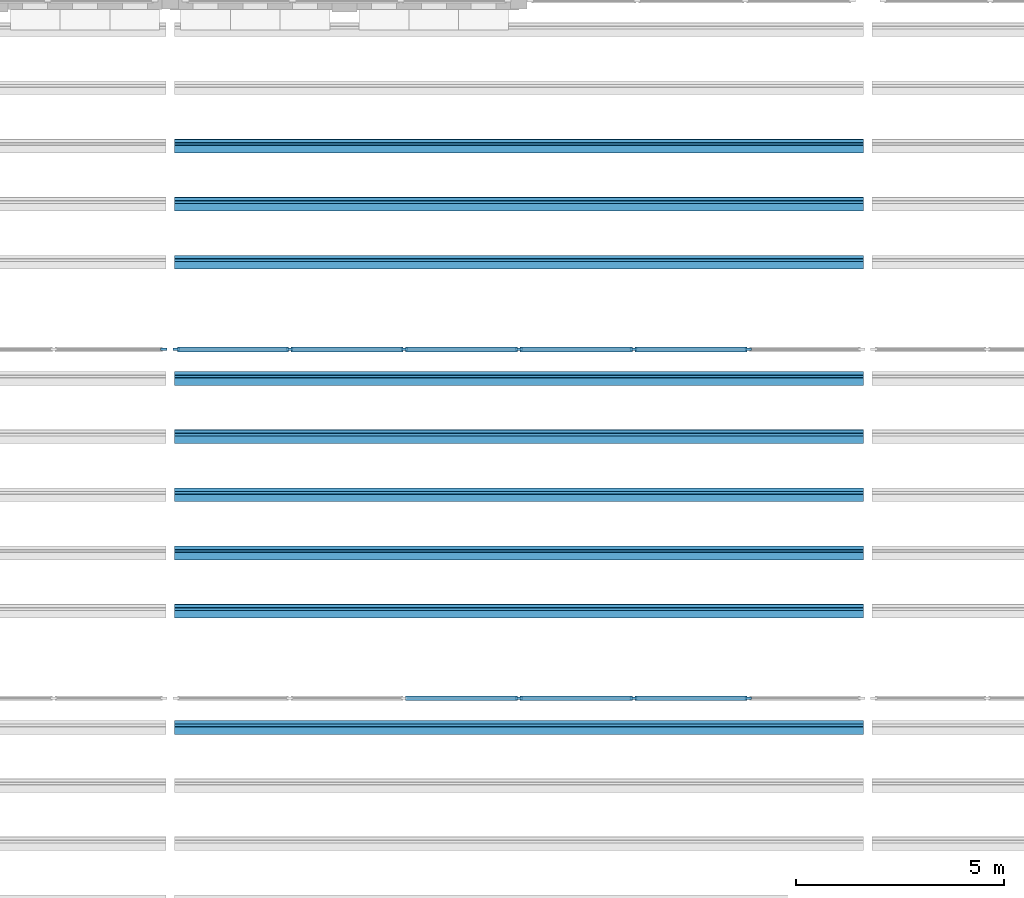
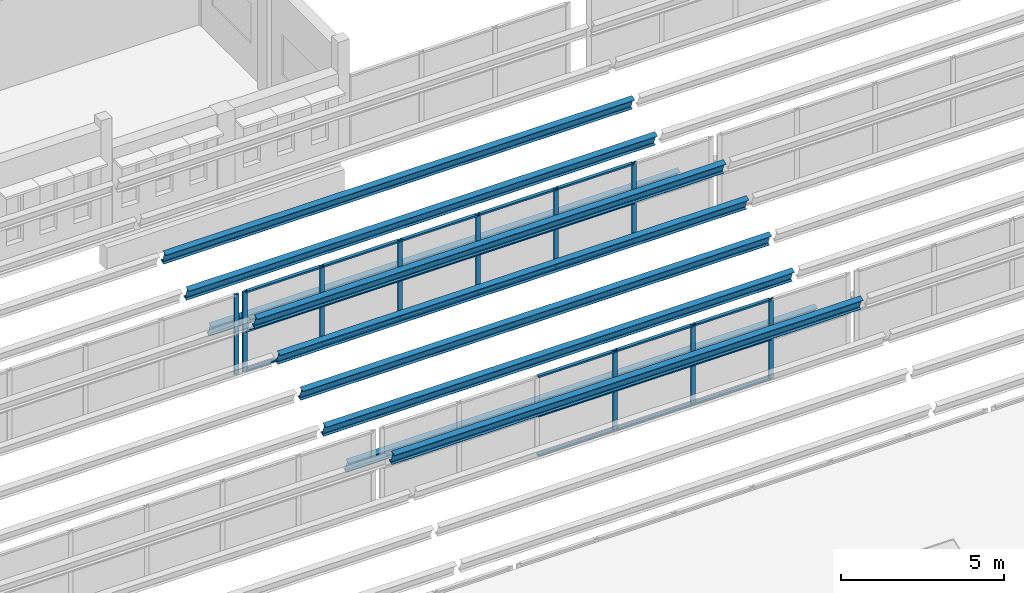
# One storey, part 11 of 116: 43 members, 3 elements without a shape of their own.
"""IFC4 building model written with IfcOpenShell, lengths in metres."""

from ifc_helpers import new_model, si_unit, direction, frame, origin, origin_2d, place, context, subcontext, project, spatial, rectangle, i_section, extrude, material, material_profile, profile_set, type_object, element, aggregate, save


model = new_model("IFC4")

# Units and contexts
model_context = context("Model", 3, precision=1e-05, world=origin(), true_north=direction((0.0, 1.0)))
body_context = subcontext(model_context, "Body", "Model", "MODEL_VIEW")
ifc_project = project(units=[si_unit("LENGTHUNIT", "METRE"), si_unit("AREAUNIT", "SQUARE_METRE"), si_unit("VOLUMEUNIT", "CUBIC_METRE"), si_unit("PLANEANGLEUNIT", "RADIAN"), si_unit("MASSUNIT", "GRAM", prefix="KILO")], contexts=[model_context])

# Site, building, storey
site_placement = place(None, origin())
site = spatial("IfcSite", under=ifc_project, at=site_placement, CompositionType="ELEMENT")
building_placement = place(site_placement, origin())
building = spatial("IfcBuilding", under=site, at=building_placement, Name="Fescue Hill Polytechnic", CompositionType="ELEMENT")
storey_placement = place(building_placement, frame((0.0, 0.0, 13.5)))
storey = spatial("IfcBuildingStorey", under=building, at=storey_placement, Name="L03", CompositionType="ELEMENT", Elevation=13.5)

# Curtain wall, members
ifc_material_1 = material(Name="Aluminium and glass", Category="aluminium")
curtain_wall_type = type_object("IfcCurtainWallType", Name="Sawtooth north glazing curtain wall", PredefinedType="NOTDEFINED", material=ifc_material_1)
curtain_wall_1_placement = place(storey_placement, origin())
curtain_wall_1 = element("IfcCurtainWall", 1, at=curtain_wall_1_placement, inside=storey, type_object=curtain_wall_type, Name="Sawtooth 2 north glazing bay 2", PredefinedType="NOTDEFINED")
ifc_material_2 = material(Name="Aluminium", Category="aluminium")
ifc_material_profile_1 = material_profile(ifc_material_2, rectangle(XDim=0.06005859375, YDim=0.159912109375, at=origin_2d()), Name="Curtain wall mullion 60x160")
ifc_profile_set_1 = profile_set([ifc_material_profile_1], Name="Aluminium")
member_type_1 = type_object("IfcMemberType", Name="Curtain wall mullion 60x160", PredefinedType="MULLION", material=ifc_profile_set_1)
member_1_placement = place(storey_placement, frame((25.199951171875, 33.60009765625, 0.0), z_axis=(0.0, 0.0, 1.0), x_axis=(0.0, 1.0, 0.0)))
member_1 = element("IfcMember", 2, at=member_1_placement, type_object=member_type_1, Name="CW9 mullion 4", PredefinedType="MULLION", context=body_context, shape_type="SweptSolid", body=[
    extrude(rectangle(XDim=0.06005859375, YDim=0.159912109375, at=origin_2d()), origin(), (0.0, 0.0, 1.0), 3.0),
])
member_2_placement = place(storey_placement, frame((27.9599609375, 33.60009765625, 0.0), z_axis=(0.0, 0.0, 1.0), x_axis=(0.0, 1.0, 0.0)))
member_2 = element("IfcMember", 3, at=member_2_placement, type_object=member_type_1, Name="CW9 mullion 5", PredefinedType="MULLION", context=body_context, shape_type="SweptSolid", body=[
    extrude(rectangle(XDim=0.06005859375, YDim=0.159912109375, at=origin_2d()), origin(), (0.0, 0.0, 1.0), 3.0),
])
member_3_placement = place(storey_placement, frame((30.719970703125, 33.60009765625, 0.0), z_axis=(0.0, 0.0, 1.0), x_axis=(0.0, 1.0, 0.0)))
member_3 = element("IfcMember", 4, at=member_3_placement, type_object=member_type_1, Name="CW9 mullion 6", PredefinedType="MULLION", context=body_context, shape_type="SweptSolid", body=[
    extrude(rectangle(XDim=0.06005859375, YDim=0.159912109375, at=origin_2d()), origin(), (0.0, 0.0, 1.0), 3.0),
])

# Curtain wall, member
curtain_wall_2_placement = place(storey_placement, origin())
curtain_wall_2 = element("IfcCurtainWall", 5, at=curtain_wall_2_placement, inside=storey, type_object=curtain_wall_type, Name="Sawtooth 3 north glazing bay 1", PredefinedType="NOTDEFINED")
member_4_placement = place(storey_placement, frame((16.64990234375, 42.0, 0.0), z_axis=(0.0, 0.0, 1.0), x_axis=(0.0, 1.0, 0.0)))
member_4 = element("IfcMember", 6, at=member_4_placement, type_object=member_type_1, Name="CW15 mullion 7", PredefinedType="MULLION", context=body_context, shape_type="SweptSolid", body=[
    extrude(rectangle(XDim=0.06005859375, YDim=0.159912109375, at=origin_2d()), origin(), (0.0, 0.0, 1.0), 3.0),
])
aggregate(curtain_wall_2, [member_4])

# Curtain wall, members
curtain_wall_3_placement = place(storey_placement, origin())
curtain_wall_3 = element("IfcCurtainWall", 7, at=curtain_wall_3_placement, inside=storey, type_object=curtain_wall_type, Name="Sawtooth 3 north glazing bay 2", PredefinedType="NOTDEFINED")
member_5_placement = place(storey_placement, frame((16.949951171875, 42.0, 0.0), z_axis=(0.0, 0.0, 1.0), x_axis=(0.0, 1.0, 0.0)))
member_5 = element("IfcMember", 8, at=member_5_placement, type_object=member_type_1, Name="CW16 mullion 1", PredefinedType="MULLION", context=body_context, shape_type="SweptSolid", body=[
    extrude(rectangle(XDim=0.06005859375, YDim=0.159912109375, at=origin_2d()), origin(), (0.0, 0.0, 1.0), 3.0),
])
member_6_placement = place(storey_placement, frame((19.679931640625, 42.0, 0.0), z_axis=(0.0, 0.0, 1.0), x_axis=(0.0, 1.0, 0.0)))
member_6 = element("IfcMember", 9, at=member_6_placement, type_object=member_type_1, Name="CW16 mullion 2", PredefinedType="MULLION", context=body_context, shape_type="SweptSolid", body=[
    extrude(rectangle(XDim=0.06005859375, YDim=0.159912109375, at=origin_2d()), origin(), (0.0, 0.0, 1.0), 3.0),
])
member_7_placement = place(storey_placement, frame((22.43994140625, 42.0, 0.0), z_axis=(0.0, 0.0, 1.0), x_axis=(0.0, 1.0, 0.0)))
member_7 = element("IfcMember", 10, at=member_7_placement, type_object=member_type_1, Name="CW16 mullion 3", PredefinedType="MULLION", context=body_context, shape_type="SweptSolid", body=[
    extrude(rectangle(XDim=0.06005859375, YDim=0.159912109375, at=origin_2d()), origin(), (0.0, 0.0, 1.0), 3.0),
])
member_8_placement = place(storey_placement, frame((25.199951171875, 42.0, 0.0), z_axis=(0.0, 0.0, 1.0), x_axis=(0.0, 1.0, 0.0)))
member_8 = element("IfcMember", 11, at=member_8_placement, type_object=member_type_1, Name="CW16 mullion 4", PredefinedType="MULLION", context=body_context, shape_type="SweptSolid", body=[
    extrude(rectangle(XDim=0.06005859375, YDim=0.159912109375, at=origin_2d()), origin(), (0.0, 0.0, 1.0), 3.0),
])
member_9_placement = place(storey_placement, frame((27.9599609375, 42.0, 0.0), z_axis=(0.0, 0.0, 1.0), x_axis=(0.0, 1.0, 0.0)))
member_9 = element("IfcMember", 12, at=member_9_placement, type_object=member_type_1, Name="CW16 mullion 5", PredefinedType="MULLION", context=body_context, shape_type="SweptSolid", body=[
    extrude(rectangle(XDim=0.06005859375, YDim=0.159912109375, at=origin_2d()), origin(), (0.0, 0.0, 1.0), 3.0),
])
member_10_placement = place(storey_placement, frame((30.719970703125, 42.0, 0.0), z_axis=(0.0, 0.0, 1.0), x_axis=(0.0, 1.0, 0.0)))
member_10 = element("IfcMember", 13, at=member_10_placement, type_object=member_type_1, Name="CW16 mullion 6", PredefinedType="MULLION", context=body_context, shape_type="SweptSolid", body=[
    extrude(rectangle(XDim=0.06005859375, YDim=0.159912109375, at=origin_2d()), origin(), (0.0, 0.0, 1.0), 3.0),
])

# Member
ifc_material_profile_2 = material_profile(ifc_material_2, rectangle(XDim=0.1201171875, YDim=0.06005859375, at=origin_2d()), Name="Curtain wall transom 60x120")
ifc_profile_set_2 = profile_set([ifc_material_profile_2], Name="Aluminium")
member_type_2 = type_object("IfcMemberType", Name="Curtain wall transom 60x120", PredefinedType="USERDEFINED", material=ifc_profile_set_2)
member_11_placement = place(storey_placement, frame((22.469970703125, 33.60009765625, 0.030029296875), z_axis=(1.0, 0.0, 0.0), x_axis=(0.0, 1.0, 0.0)))
member_11 = element("IfcMember", 14, at=member_11_placement, type_object=member_type_2, Name="CW9 transom 3.1", ObjectType="TRANSOM", PredefinedType="USERDEFINED", context=body_context, shape_type="SweptSolid", body=[
    extrude(rectangle(XDim=0.1201171875, YDim=0.06005859375, at=origin_2d()), origin(), (0.0, 0.0, 1.0), 2.699951171875),
])

member_12_placement = place(storey_placement, frame((22.469970703125, 33.60009765625, 1.5), z_axis=(1.0, 0.0, 0.0), x_axis=(0.0, 1.0, 0.0)))
member_12 = element("IfcMember", 15, at=member_12_placement, type_object=member_type_2, Name="CW9 transom 3.2", ObjectType="TRANSOM", PredefinedType="USERDEFINED", context=body_context, shape_type="SweptSolid", body=[
    extrude(rectangle(XDim=0.1201171875, YDim=0.06005859375, at=origin_2d()), origin(), (0.0, 0.0, 1.0), 2.699951171875),
])

member_13_placement = place(storey_placement, frame((22.469970703125, 33.60009765625, 2.969970703125), z_axis=(1.0, 0.0, 0.0), x_axis=(0.0, 1.0, 0.0)))
member_13 = element("IfcMember", 16, at=member_13_placement, type_object=member_type_2, Name="CW9 transom 3.3", ObjectType="TRANSOM", PredefinedType="USERDEFINED", context=body_context, shape_type="SweptSolid", body=[
    extrude(rectangle(XDim=0.1201171875, YDim=0.06005859375, at=origin_2d()), origin(), (0.0, 0.0, 1.0), 2.699951171875),
])

member_14_placement = place(storey_placement, frame((25.22998046875, 33.60009765625, 0.030029296875), z_axis=(1.0, 0.0, 0.0), x_axis=(0.0, 1.0, 0.0)))
member_14 = element("IfcMember", 17, at=member_14_placement, type_object=member_type_2, Name="CW9 transom 4.1", ObjectType="TRANSOM", PredefinedType="USERDEFINED", context=body_context, shape_type="SweptSolid", body=[
    extrude(rectangle(XDim=0.1201171875, YDim=0.06005859375, at=origin_2d()), origin(), (0.0, 0.0, 1.0), 2.699951171875),
])

member_15_placement = place(storey_placement, frame((25.22998046875, 33.60009765625, 1.5), z_axis=(1.0, 0.0, 0.0), x_axis=(0.0, 1.0, 0.0)))
member_15 = element("IfcMember", 18, at=member_15_placement, type_object=member_type_2, Name="CW9 transom 4.2", ObjectType="TRANSOM", PredefinedType="USERDEFINED", context=body_context, shape_type="SweptSolid", body=[
    extrude(rectangle(XDim=0.1201171875, YDim=0.06005859375, at=origin_2d()), origin(), (0.0, 0.0, 1.0), 2.699951171875),
])

member_16_placement = place(storey_placement, frame((25.22998046875, 33.60009765625, 2.969970703125), z_axis=(1.0, 0.0, 0.0), x_axis=(0.0, 1.0, 0.0)))
member_16 = element("IfcMember", 19, at=member_16_placement, type_object=member_type_2, Name="CW9 transom 4.3", ObjectType="TRANSOM", PredefinedType="USERDEFINED", context=body_context, shape_type="SweptSolid", body=[
    extrude(rectangle(XDim=0.1201171875, YDim=0.06005859375, at=origin_2d()), origin(), (0.0, 0.0, 1.0), 2.699951171875),
])

member_17_placement = place(storey_placement, frame((27.989990234375, 33.60009765625, 0.030029296875), z_axis=(1.0, 0.0, 0.0), x_axis=(0.0, 1.0, 0.0)))
member_17 = element("IfcMember", 20, at=member_17_placement, type_object=member_type_2, Name="CW9 transom 5.1", ObjectType="TRANSOM", PredefinedType="USERDEFINED", context=body_context, shape_type="SweptSolid", body=[
    extrude(rectangle(XDim=0.1201171875, YDim=0.06005859375, at=origin_2d()), origin(), (0.0, 0.0, 1.0), 2.699951171875),
])

member_18_placement = place(storey_placement, frame((27.989990234375, 33.60009765625, 1.5), z_axis=(1.0, 0.0, 0.0), x_axis=(0.0, 1.0, 0.0)))
member_18 = element("IfcMember", 21, at=member_18_placement, type_object=member_type_2, Name="CW9 transom 5.2", ObjectType="TRANSOM", PredefinedType="USERDEFINED", context=body_context, shape_type="SweptSolid", body=[
    extrude(rectangle(XDim=0.1201171875, YDim=0.06005859375, at=origin_2d()), origin(), (0.0, 0.0, 1.0), 2.699951171875),
])

member_19_placement = place(storey_placement, frame((27.989990234375, 33.60009765625, 2.969970703125), z_axis=(1.0, 0.0, 0.0), x_axis=(0.0, 1.0, 0.0)))
member_19 = element("IfcMember", 22, at=member_19_placement, type_object=member_type_2, Name="CW9 transom 5.3", ObjectType="TRANSOM", PredefinedType="USERDEFINED", context=body_context, shape_type="SweptSolid", body=[
    extrude(rectangle(XDim=0.1201171875, YDim=0.06005859375, at=origin_2d()), origin(), (0.0, 0.0, 1.0), 2.699951171875),
])

aggregate(curtain_wall_1, [member_1, member_2, member_3, member_11, member_12, member_13, member_14, member_15, member_16, member_17, member_18, member_19])

member_20_placement = place(storey_placement, frame((16.97998046875, 42.0, 0.030029296875), z_axis=(1.0, 0.0, 0.0), x_axis=(0.0, 1.0, 0.0)))
member_20 = element("IfcMember", 23, at=member_20_placement, type_object=member_type_2, Name="CW16 transom 1.1", ObjectType="TRANSOM", PredefinedType="USERDEFINED", context=body_context, shape_type="SweptSolid", body=[
    extrude(rectangle(XDim=0.1201171875, YDim=0.06005859375, at=origin_2d()), origin(), (0.0, 0.0, 1.0), 2.669921875),
])

member_21_placement = place(storey_placement, frame((16.97998046875, 42.0, 1.5), z_axis=(1.0, 0.0, 0.0), x_axis=(0.0, 1.0, 0.0)))
member_21 = element("IfcMember", 24, at=member_21_placement, type_object=member_type_2, Name="CW16 transom 1.2", ObjectType="TRANSOM", PredefinedType="USERDEFINED", context=body_context, shape_type="SweptSolid", body=[
    extrude(rectangle(XDim=0.1201171875, YDim=0.06005859375, at=origin_2d()), origin(), (0.0, 0.0, 1.0), 2.669921875),
])

member_22_placement = place(storey_placement, frame((16.97998046875, 42.0, 2.969970703125), z_axis=(1.0, 0.0, 0.0), x_axis=(0.0, 1.0, 0.0)))
member_22 = element("IfcMember", 25, at=member_22_placement, type_object=member_type_2, Name="CW16 transom 1.3", ObjectType="TRANSOM", PredefinedType="USERDEFINED", context=body_context, shape_type="SweptSolid", body=[
    extrude(rectangle(XDim=0.1201171875, YDim=0.06005859375, at=origin_2d()), origin(), (0.0, 0.0, 1.0), 2.669921875),
])

member_23_placement = place(storey_placement, frame((19.7099609375, 42.0, 0.030029296875), z_axis=(1.0, 0.0, 0.0), x_axis=(0.0, 1.0, 0.0)))
member_23 = element("IfcMember", 26, at=member_23_placement, type_object=member_type_2, Name="CW16 transom 2.1", ObjectType="TRANSOM", PredefinedType="USERDEFINED", context=body_context, shape_type="SweptSolid", body=[
    extrude(rectangle(XDim=0.1201171875, YDim=0.06005859375, at=origin_2d()), origin(), (0.0, 0.0, 1.0), 2.699951171875),
])

member_24_placement = place(storey_placement, frame((19.7099609375, 42.0, 1.5), z_axis=(1.0, 0.0, 0.0), x_axis=(0.0, 1.0, 0.0)))
member_24 = element("IfcMember", 27, at=member_24_placement, type_object=member_type_2, Name="CW16 transom 2.2", ObjectType="TRANSOM", PredefinedType="USERDEFINED", context=body_context, shape_type="SweptSolid", body=[
    extrude(rectangle(XDim=0.1201171875, YDim=0.06005859375, at=origin_2d()), origin(), (0.0, 0.0, 1.0), 2.699951171875),
])

member_25_placement = place(storey_placement, frame((19.7099609375, 42.0, 2.969970703125), z_axis=(1.0, 0.0, 0.0), x_axis=(0.0, 1.0, 0.0)))
member_25 = element("IfcMember", 28, at=member_25_placement, type_object=member_type_2, Name="CW16 transom 2.3", ObjectType="TRANSOM", PredefinedType="USERDEFINED", context=body_context, shape_type="SweptSolid", body=[
    extrude(rectangle(XDim=0.1201171875, YDim=0.06005859375, at=origin_2d()), origin(), (0.0, 0.0, 1.0), 2.699951171875),
])

member_26_placement = place(storey_placement, frame((22.469970703125, 42.0, 0.030029296875), z_axis=(1.0, 0.0, 0.0), x_axis=(0.0, 1.0, 0.0)))
member_26 = element("IfcMember", 29, at=member_26_placement, type_object=member_type_2, Name="CW16 transom 3.1", ObjectType="TRANSOM", PredefinedType="USERDEFINED", context=body_context, shape_type="SweptSolid", body=[
    extrude(rectangle(XDim=0.1201171875, YDim=0.06005859375, at=origin_2d()), origin(), (0.0, 0.0, 1.0), 2.699951171875),
])

member_27_placement = place(storey_placement, frame((22.469970703125, 42.0, 1.5), z_axis=(1.0, 0.0, 0.0), x_axis=(0.0, 1.0, 0.0)))
member_27 = element("IfcMember", 30, at=member_27_placement, type_object=member_type_2, Name="CW16 transom 3.2", ObjectType="TRANSOM", PredefinedType="USERDEFINED", context=body_context, shape_type="SweptSolid", body=[
    extrude(rectangle(XDim=0.1201171875, YDim=0.06005859375, at=origin_2d()), origin(), (0.0, 0.0, 1.0), 2.699951171875),
])

member_28_placement = place(storey_placement, frame((22.469970703125, 42.0, 2.969970703125), z_axis=(1.0, 0.0, 0.0), x_axis=(0.0, 1.0, 0.0)))
member_28 = element("IfcMember", 31, at=member_28_placement, type_object=member_type_2, Name="CW16 transom 3.3", ObjectType="TRANSOM", PredefinedType="USERDEFINED", context=body_context, shape_type="SweptSolid", body=[
    extrude(rectangle(XDim=0.1201171875, YDim=0.06005859375, at=origin_2d()), origin(), (0.0, 0.0, 1.0), 2.699951171875),
])

member_29_placement = place(storey_placement, frame((25.22998046875, 42.0, 0.030029296875), z_axis=(1.0, 0.0, 0.0), x_axis=(0.0, 1.0, 0.0)))
member_29 = element("IfcMember", 32, at=member_29_placement, type_object=member_type_2, Name="CW16 transom 4.1", ObjectType="TRANSOM", PredefinedType="USERDEFINED", context=body_context, shape_type="SweptSolid", body=[
    extrude(rectangle(XDim=0.1201171875, YDim=0.06005859375, at=origin_2d()), origin(), (0.0, 0.0, 1.0), 2.699951171875),
])

member_30_placement = place(storey_placement, frame((25.22998046875, 42.0, 1.5), z_axis=(1.0, 0.0, 0.0), x_axis=(0.0, 1.0, 0.0)))
member_30 = element("IfcMember", 33, at=member_30_placement, type_object=member_type_2, Name="CW16 transom 4.2", ObjectType="TRANSOM", PredefinedType="USERDEFINED", context=body_context, shape_type="SweptSolid", body=[
    extrude(rectangle(XDim=0.1201171875, YDim=0.06005859375, at=origin_2d()), origin(), (0.0, 0.0, 1.0), 2.699951171875),
])

member_31_placement = place(storey_placement, frame((25.22998046875, 42.0, 2.969970703125), z_axis=(1.0, 0.0, 0.0), x_axis=(0.0, 1.0, 0.0)))
member_31 = element("IfcMember", 34, at=member_31_placement, type_object=member_type_2, Name="CW16 transom 4.3", ObjectType="TRANSOM", PredefinedType="USERDEFINED", context=body_context, shape_type="SweptSolid", body=[
    extrude(rectangle(XDim=0.1201171875, YDim=0.06005859375, at=origin_2d()), origin(), (0.0, 0.0, 1.0), 2.699951171875),
])

member_32_placement = place(storey_placement, frame((27.989990234375, 42.0, 0.030029296875), z_axis=(1.0, 0.0, 0.0), x_axis=(0.0, 1.0, 0.0)))
member_32 = element("IfcMember", 35, at=member_32_placement, type_object=member_type_2, Name="CW16 transom 5.1", ObjectType="TRANSOM", PredefinedType="USERDEFINED", context=body_context, shape_type="SweptSolid", body=[
    extrude(rectangle(XDim=0.1201171875, YDim=0.06005859375, at=origin_2d()), origin(), (0.0, 0.0, 1.0), 2.699951171875),
])

member_33_placement = place(storey_placement, frame((27.989990234375, 42.0, 1.5), z_axis=(1.0, 0.0, 0.0), x_axis=(0.0, 1.0, 0.0)))
member_33 = element("IfcMember", 36, at=member_33_placement, type_object=member_type_2, Name="CW16 transom 5.2", ObjectType="TRANSOM", PredefinedType="USERDEFINED", context=body_context, shape_type="SweptSolid", body=[
    extrude(rectangle(XDim=0.1201171875, YDim=0.06005859375, at=origin_2d()), origin(), (0.0, 0.0, 1.0), 2.699951171875),
])

member_34_placement = place(storey_placement, frame((27.989990234375, 42.0, 2.969970703125), z_axis=(1.0, 0.0, 0.0), x_axis=(0.0, 1.0, 0.0)))
member_34 = element("IfcMember", 37, at=member_34_placement, type_object=member_type_2, Name="CW16 transom 5.3", ObjectType="TRANSOM", PredefinedType="USERDEFINED", context=body_context, shape_type="SweptSolid", body=[
    extrude(rectangle(XDim=0.1201171875, YDim=0.06005859375, at=origin_2d()), origin(), (0.0, 0.0, 1.0), 2.699951171875),
])

aggregate(curtain_wall_3, [member_5, member_6, member_7, member_8, member_9, member_10, member_20, member_21, member_22, member_23, member_24, member_25, member_26, member_27, member_28, member_29, member_30, member_31, member_32, member_33, member_34])

# Members
ifc_material_3 = material(Name="Steel 350W (350 MPa)", Category="steel")
ifc_material_profile_3 = material_profile(ifc_material_3, i_section(OverallWidth=0.18994140625, OverallDepth=0.45703125, WebThickness=0.009033203125, FlangeThickness=0.014404296875, FilletRadius=0.0166015625, at=origin_2d()), Name="W460x74")
ifc_profile_set_3 = profile_set([ifc_material_profile_3], Name="Steel 350W (350 MPa)")
member_type_3 = type_object("IfcMemberType", Name="Tooth purlin W460x74", PredefinedType="PURLIN", material=ifc_profile_set_3)
for number, where, z_axis, x_axis, name in (
    (38, (16.904541015625, 35.699951171875, 0.294921875), (1.0, 0.0, 0.0), (0.0, 0.941741911595, 0.336336396997), "Tooth 3 purlin 2 bay 2"),
    (39, (16.904541015625, 37.10009765625, 0.794921875), (1.0, 0.0, 0.0), (0.0, 0.941741911595, 0.336336396997), "Tooth 3 purlin 3 bay 2"),
    (40, (16.904541015625, 38.5, 1.294921875), (1.0, 0.0, 0.0), (0.0, 0.941741911595, 0.336336396997), "Tooth 3 purlin 4 bay 2"),
    (41, (16.904541015625, 39.89990234375, 1.794921875), (1.0, 0.0, 0.0), (0.0, 0.941741911595, 0.336336396997), "Tooth 3 purlin 5 bay 2"),
    (42, (16.904541015625, 44.10009765625, 0.294921875), (1.0, 0.0, 0.0), (0.0, 0.941741911595, 0.336336396997), "Tooth 4 purlin 2 bay 2"),
    (43, (16.904541015625, 45.5, 0.794921875), (1.0, 0.0, 0.0), (0.0, 0.941741911595, 0.336336396997), "Tooth 4 purlin 3 bay 2"),
    (44, (16.904541015625, 46.89990234375, 1.294921875), (1.0, 0.0, 0.0), (0.0, 0.941741911595, 0.336336396997), "Tooth 4 purlin 4 bay 2"),
):
    element("IfcMember", number, at=place(storey_placement, frame(where, z_axis=z_axis, x_axis=x_axis)), inside=storey, type_object=member_type_3, Name=name, PredefinedType="PURLIN", context=body_context, shape_type="SweptSolid", body=[
        extrude(i_section(OverallWidth=0.18994140625, OverallDepth=0.45703125, WebThickness=0.009033203125, FlangeThickness=0.014404296875, FilletRadius=0.0166015625, at=origin_2d()), origin(), (0.0, 0.0, 1.0), 16.591064453125),
    ])
ifc_material_profile_4 = material_profile(ifc_material_3, i_section(OverallWidth=0.193115234375, OverallDepth=0.466064453125, WebThickness=0.011474609375, FlangeThickness=0.01904296875, FilletRadius=0.01708984375, at=origin_2d()), Name="W460x97")
ifc_profile_set_4 = profile_set([ifc_material_profile_4], Name="Steel 350W (350 MPa)")
member_type_4 = type_object("IfcMemberType", Name="Tooth ridge purlin W460x97", PredefinedType="PURLIN", material=ifc_profile_set_4)
for number, where, z_axis, x_axis, name in (
    (45, (16.904541015625, 32.89990234375, 2.290283203125), (1.0, 0.0, 0.0), (0.0, 0.941741911595, 0.336336396997), "Tooth 2 ridge purlin bay 2"),
    (46, (16.904541015625, 41.300048828125, 2.290283203125), (1.0, 0.0, 0.0), (0.0, 0.941741911595, 0.336336396997), "Tooth 3 ridge purlin bay 2"),
):
    element("IfcMember", number, at=place(storey_placement, frame(where, z_axis=z_axis, x_axis=x_axis)), inside=storey, type_object=member_type_4, Name=name, PredefinedType="PURLIN", context=body_context, shape_type="SweptSolid", body=[
        extrude(i_section(OverallWidth=0.193115234375, OverallDepth=0.466064453125, WebThickness=0.011474609375, FlangeThickness=0.01904296875, FilletRadius=0.01708984375, at=origin_2d()), origin(), (0.0, 0.0, 1.0), 16.591064453125),
    ])

save(model, "model.ifc")
